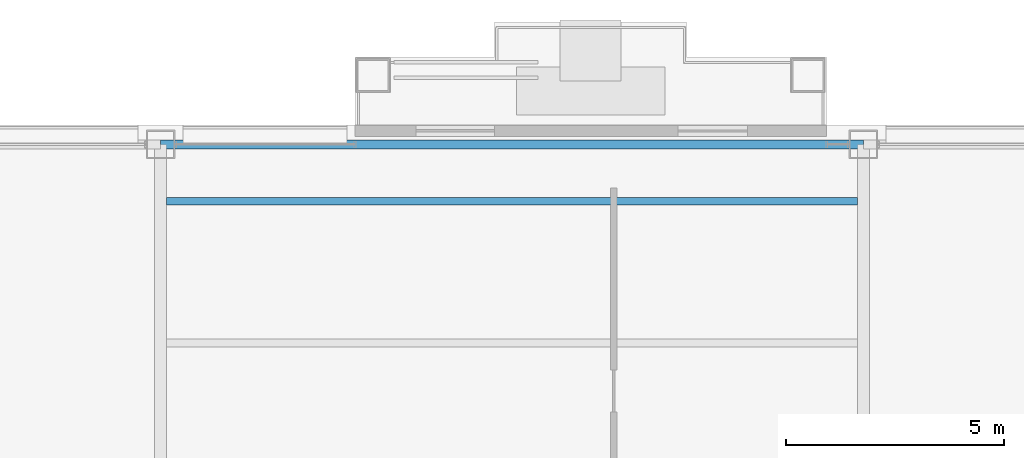
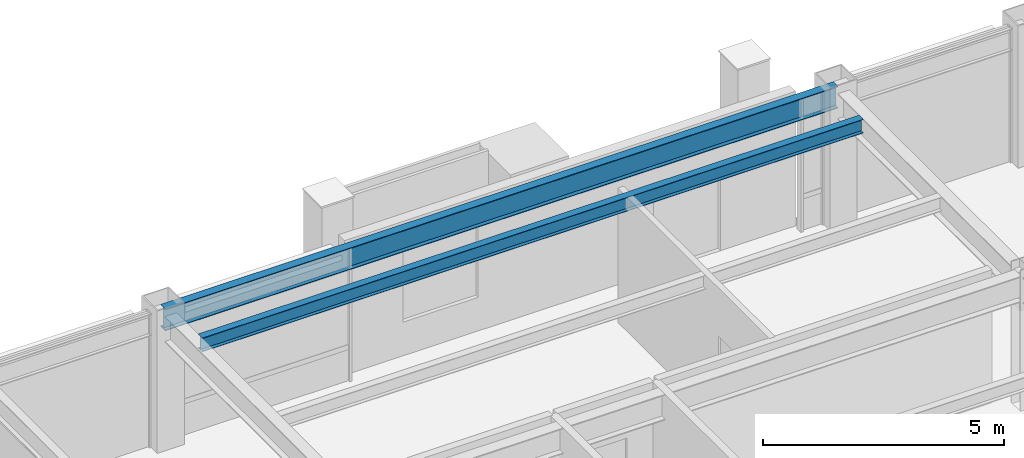
# One storey, part 15 of 24: 2 beams.
"""IFC4 building model written with IfcOpenShell, lengths in metres."""

from ifc_helpers import new_model, si_unit, direction, frame, origin, origin_2d, place, context, subcontext, project, spatial, i_section, extrude, material, material_profile, profile_set, type_object, element, save


model = new_model("IFC4")

# Units and contexts
model_context = context("Model", 3, precision=1e-05, world=origin(), true_north=direction((0.0, 1.0)))
body_context = subcontext(model_context, "Body", "Model", "MODEL_VIEW")
ifc_project = project(units=[si_unit("LENGTHUNIT", "METRE"), si_unit("AREAUNIT", "SQUARE_METRE"), si_unit("VOLUMEUNIT", "CUBIC_METRE"), si_unit("PLANEANGLEUNIT", "RADIAN"), si_unit("MASSUNIT", "GRAM", prefix="KILO")], contexts=[model_context])

# Site, building, storey
site_placement = place(None, origin())
site = spatial("IfcSite", under=ifc_project, at=site_placement, CompositionType="ELEMENT")
building_placement = place(site_placement, origin())
building = spatial("IfcBuilding", under=site, at=building_placement, Name="Brelmoor Portico Tower", CompositionType="ELEMENT")
storey_placement = place(building_placement, frame((0.0, 0.0, 229.199951171875)))
storey = spatial("IfcBuildingStorey", under=building, at=storey_placement, Name="L60", CompositionType="ELEMENT", Elevation=229.199951171875)

# Beams
ifc_material = material(Name="Steel Q355B", Category="steel")
ifc_material_profile_1 = material_profile(ifc_material, i_section(OverallWidth=0.175048828125, OverallDepth=0.35009765625, WebThickness=0.007080078125, FlangeThickness=0.010986328125, at=origin_2d()), Name="HN 350x175x7x11")
ifc_profile_set_1 = profile_set([ifc_material_profile_1], Name="Steel Q355B")
beam_type_1 = type_object("IfcBeamType", Name="BM-JS-350", PredefinedType="JOIST", material=ifc_profile_set_1)
beam_1_placement = place(storey_placement, frame((-7.909912109375, 16.25, 3.22509765625), z_axis=(1.0, 0.0, 0.0), x_axis=(0.0, 1.0, 0.0)))
element("IfcBeam", 1, at=beam_1_placement, inside=storey, type_object=beam_type_1, Name="L60 Secondary Composite Joist JS-C06", PredefinedType="JOIST", context=body_context, shape_type="SweptSolid", body=[
    extrude(i_section(OverallWidth=0.175048828125, OverallDepth=0.35009765625, WebThickness=0.007080078125, FlangeThickness=0.010986328125, at=origin_2d()), origin(), (0.0, 0.0, 1.0), 15.81982421875),
])
ifc_material_profile_2 = material_profile(ifc_material, i_section(OverallWidth=0.199951171875, OverallDepth=0.550048828125, WebThickness=0.010009765625, FlangeThickness=0.01611328125, at=origin_2d()), Name="HN 550x200x10x16")
ifc_profile_set_2 = profile_set([ifc_material_profile_2], Name="Steel Q355B")
beam_type_2 = type_object("IfcBeamType", Name="BM-SP-550", PredefinedType="SPANDREL", material=ifc_profile_set_2)
beam_2_placement = place(storey_placement, frame((-8.050048828125, 17.550048828125, 3.125), z_axis=(1.0, 0.0, 0.0), x_axis=(0.0, 1.0, 0.0)))
element("IfcBeam", 2, at=beam_2_placement, inside=storey, type_object=beam_type_2, Name="L60 Perimeter Spandrel Beam SP-09", PredefinedType="SPANDREL", context=body_context, shape_type="SweptSolid", body=[
    extrude(i_section(OverallWidth=0.199951171875, OverallDepth=0.550048828125, WebThickness=0.010009765625, FlangeThickness=0.01611328125, at=origin_2d()), origin(), (0.0, 0.0, 1.0), 16.10009765625),
])

save(model, "model.ifc")
